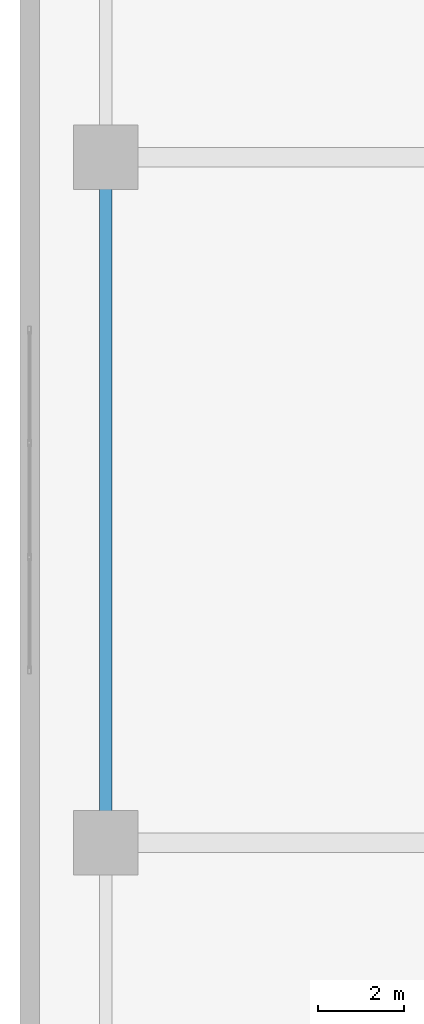
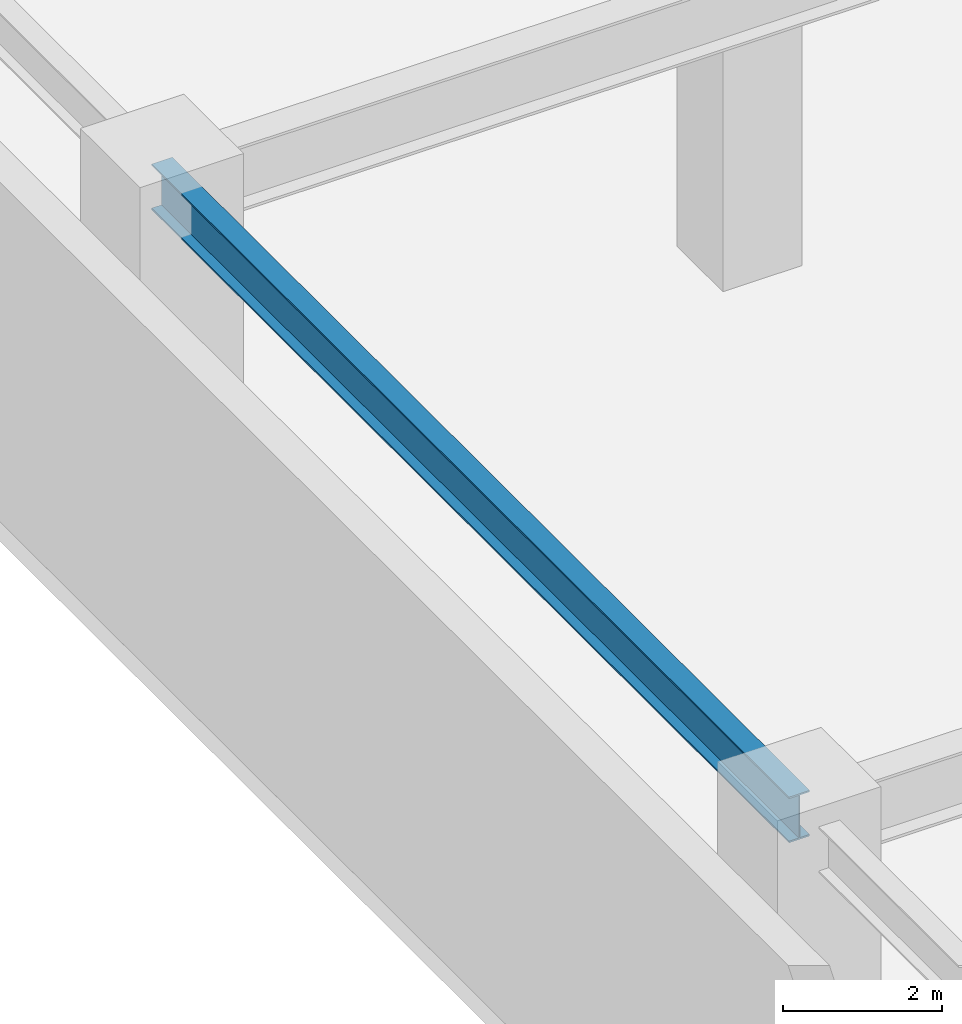
# One storey, part 11 of 35: 1 beam.
"""IFC4 building model written with IfcOpenShell, lengths in metres."""

from ifc_helpers import new_model, si_unit, direction, frame, origin, origin_2d, place, context, subcontext, project, spatial, i_section, extrude, material, material_profile, profile_set, type_object, element, save


model = new_model("IFC4")

# Units and contexts
model_context = context("Model", 3, precision=1e-05, world=origin(), true_north=direction((0.0, 1.0)))
body_context = subcontext(model_context, "Body", "Model", "MODEL_VIEW")
ifc_project = project(units=[si_unit("LENGTHUNIT", "METRE"), si_unit("AREAUNIT", "SQUARE_METRE"), si_unit("VOLUMEUNIT", "CUBIC_METRE"), si_unit("PLANEANGLEUNIT", "RADIAN"), si_unit("MASSUNIT", "GRAM", prefix="KILO")], contexts=[model_context])

# Site, building, storey
site_placement = place(None, origin())
site = spatial("IfcSite", under=ifc_project, at=site_placement, CompositionType="ELEMENT")
building_placement = place(site_placement, origin())
building = spatial("IfcBuilding", under=site, at=building_placement, Name="Qiaolan Cultural Towers", CompositionType="ELEMENT")
storey_placement = place(building_placement, frame((0.0, 0.0, 6.0)))
storey = spatial("IfcBuildingStorey", under=building, at=storey_placement, Name="L01", CompositionType="ELEMENT", Elevation=6.0)

# Beam
ifc_material = material(Name="Steel Q355B", Category="steel")
ifc_material_profile = material_profile(ifc_material, i_section(OverallWidth=0.300048828125, OverallDepth=0.699951171875, WebThickness=0.012939453125, FlangeThickness=0.02392578125, at=origin_2d()), Name="HN700x300x13x24")
ifc_profile_set = profile_set([ifc_material_profile], Name="Steel Q355B")
beam_type = type_object("IfcBeamType", Name="BM-HN700x300x13x24", PredefinedType="BEAM", material=ifc_profile_set)
beam_placement = place(storey_placement, frame((2.0, 26.0, 4.85009765625), z_axis=(0.0, 1.0, 0.0), x_axis=(-1.0, 0.0, 0.0)))
element("IfcBeam", 1, at=beam_placement, inside=storey, type_object=beam_type, Name="L01 Podium Transverse Beam X=2.0", PredefinedType="BEAM", context=body_context, shape_type="SweptSolid", body=[
    extrude(i_section(OverallWidth=0.300048828125, OverallDepth=0.699951171875, WebThickness=0.012939453125, FlangeThickness=0.02392578125, at=origin_2d()), origin(), (0.0, 0.0, 1.0), 16.0),
])

save(model, "model.ifc")
